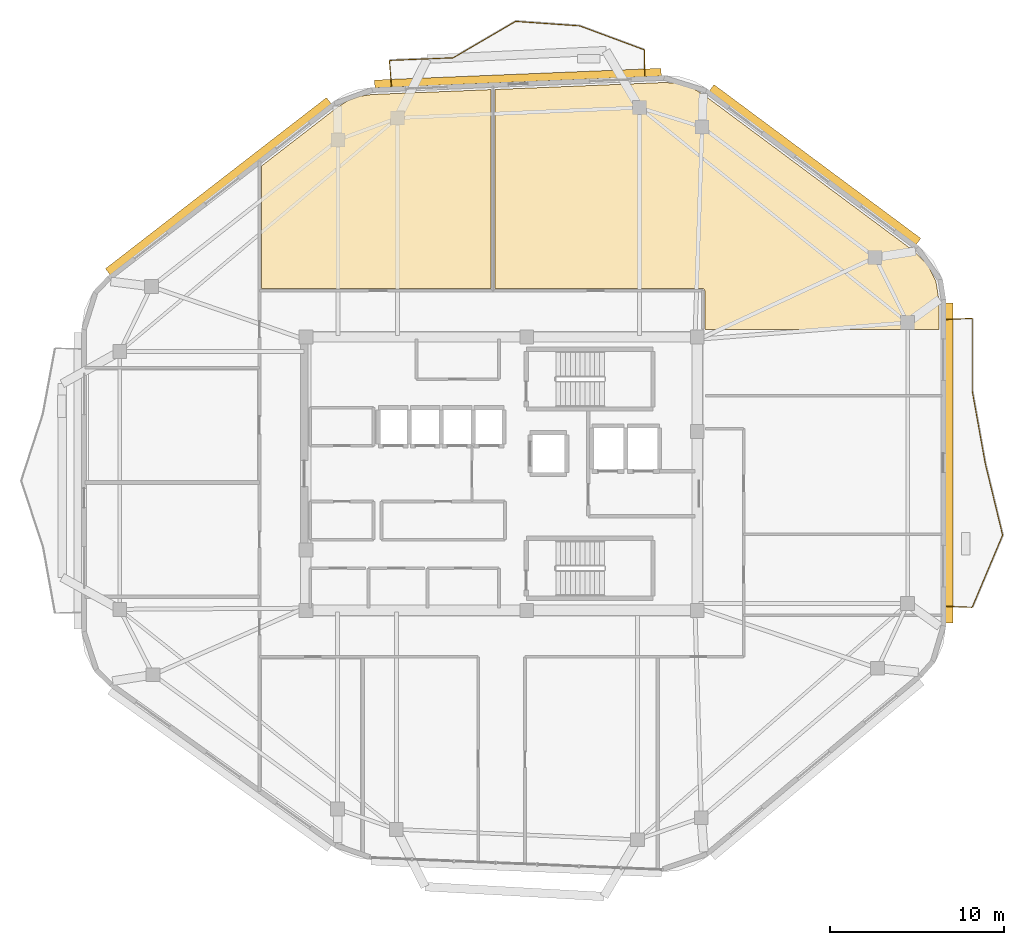
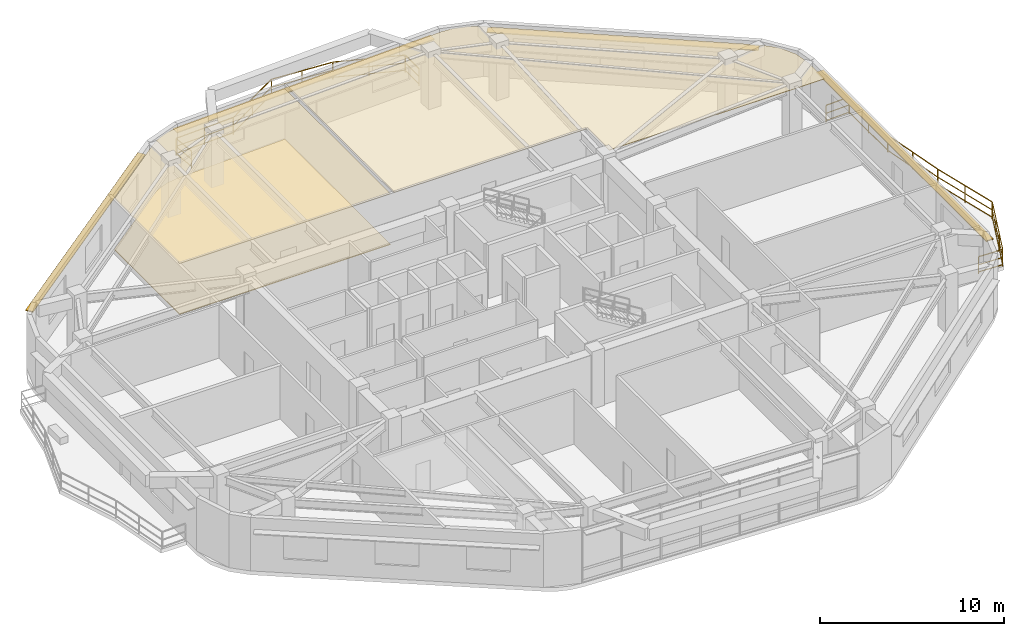
# One storey, part 13 of 13: 12 railings, 4 shading devices, 3 coverings.
"""IFC4 building model written with IfcOpenShell, lengths in metres."""

from ifc_helpers import new_model, si_unit, direction, frame, origin, origin_2d, place, context, subcontext, project, spatial, polyline, rectangle, outline, extrude, material, layer, layer_set, type_object, element, save


model = new_model("IFC4")

# Units and contexts
model_context = context("Model", 3, precision=1e-05, world=origin(), true_north=direction((0.0, 1.0)))
body_context = subcontext(model_context, "Body", "Model", "MODEL_VIEW")
ifc_project = project(units=[si_unit("LENGTHUNIT", "METRE"), si_unit("AREAUNIT", "SQUARE_METRE"), si_unit("VOLUMEUNIT", "CUBIC_METRE"), si_unit("PLANEANGLEUNIT", "RADIAN"), si_unit("MASSUNIT", "GRAM", prefix="KILO")], contexts=[model_context])

# Site, building, storey
site_placement = place(None, origin())
site = spatial("IfcSite", under=ifc_project, at=site_placement, CompositionType="ELEMENT")
building_placement = place(site_placement, origin())
building = spatial("IfcBuilding", under=site, at=building_placement, Name="Zulverin Broadcast Headquarters", CompositionType="ELEMENT")
storey_placement = place(building_placement, frame((0.0, 0.0, 301.0)))
storey = spatial("IfcBuildingStorey", under=building, at=storey_placement, Name="L77", CompositionType="ELEMENT", Elevation=301.0)

# Coverings
ifc_material_1 = material(Name="Perforated pale-metal acoustic baffle ceiling", Category="aluminium")
ifc_layer_1 = layer(ifc_material_1, 0.0400390625, Name="Perforated pale-metal acoustic baffle ceiling", Category="aluminium")
ifc_layer_set_1 = layer_set([ifc_layer_1], Name="Perforated pale-metal acoustic baffle ceiling")
covering_type_1 = type_object("IfcCoveringType", Name="COV-CEIL-ACOU", PredefinedType="CEILING", material=ifc_layer_set_1)
covering_1_placement = place(storey_placement, frame((0.0, 0.0, 3.360107421875)))
element("IfcCovering", 1, at=covering_1_placement, inside=storey, type_object=covering_type_1, Name="L77 Acoustic Baffle Ceiling 01", PredefinedType="CEILING", context=body_context, shape_type="SweptSolid", body=[
    extrude(outline(polyline([(36.3798828125, 35.8720703125), (36.3798828125, 47.33203125), (29.535888671875, 47.052001953125), (28.823974609375, 46.947998046875), (28.16796875, 46.7080078125), (27.555908203125, 46.327880859375), (23.16796875, 42.931884765625), (23.16796875, 35.8720703125), (36.3798828125, 35.8720703125)])), origin(), (0.0, 0.0, 1.0), 0.039794921875),
])
covering_2_placement = place(storey_placement, frame((0.0, 0.0, 3.360107421875)))
element("IfcCovering", 2, at=covering_2_placement, inside=storey, type_object=covering_type_1, Name="L77 Acoustic Baffle Ceiling 02", PredefinedType="CEILING", context=body_context, shape_type="SweptSolid", body=[
    extrude(outline(polyline([(48.60791015625, 47.06396484375), (47.927978515625, 47.4599609375), (47.19189453125, 47.68408203125), (46.404052734375, 47.743896484375), (36.6201171875, 47.340087890625), (36.6201171875, 35.8720703125), (48.56005859375, 35.8720703125), (48.572021484375, 35.8720703125), (48.583984375, 35.867919921875), (48.592041015625, 35.867919921875), (48.60009765625, 35.864013671875), (48.60791015625, 35.864013671875), (48.6201171875, 35.860107421875), (48.6279296875, 35.85595703125), (48.635986328125, 35.85205078125), (48.64794921875, 35.843994140625), (48.659912109375, 35.8359375), (48.66796875, 35.827880859375), (48.676025390625, 35.820068359375), (48.68408203125, 35.81201171875), (48.69189453125, 35.800048828125), (48.699951171875, 35.7880859375), (48.7041015625, 35.780029296875), (48.7080078125, 35.77197265625), (48.7119140625, 35.763916015625), (48.716064453125, 35.751953125), (48.716064453125, 35.743896484375), (48.719970703125, 35.73193359375), (48.719970703125, 35.719970703125), (48.719970703125, 33.5), (62.199951171875, 33.5), (62.199951171875, 35.219970703125), (62.031982421875, 36.2880859375), (61.56005859375, 37.22412109375), (60.803955078125, 37.99609375), (48.60791015625, 47.06396484375)])), origin(), (0.0, 0.0, 1.0), 0.039794921875),
])
ifc_material_2 = material(Name="Anti-static broadcast raised access flooring", Category="stone")
ifc_layer_2 = layer(ifc_material_2, 0.050048828125, Name="Anti-static broadcast raised access flooring", Category="stone")
ifc_layer_set_2 = layer_set([ifc_layer_2], Name="Anti-static broadcast raised access flooring")
covering_type_2 = type_object("IfcCoveringType", Name="COV-FLR-RAISED", PredefinedType="FLOORING", material=ifc_layer_set_2)
covering_3_placement = place(storey_placement, origin())
element("IfcCovering", 3, at=covering_3_placement, inside=storey, type_object=covering_type_2, Name="L77 Broadcast Raised Access Flooring 01", PredefinedType="FLOORING", context=body_context, shape_type="SweptSolid", body=[
    extrude(outline(polyline([(36.3798828125, 35.8720703125), (36.3798828125, 47.33203125), (29.535888671875, 47.052001953125), (28.823974609375, 46.947998046875), (28.16796875, 46.7080078125), (27.555908203125, 46.327880859375), (23.16796875, 42.931884765625), (23.16796875, 35.8720703125), (36.3798828125, 35.8720703125)])), origin(), (0.0, 0.0, 1.0), 0.050048828125),
])

# Railings
ifc_material_3 = material(Name="Brushed stainless steel & laminated glass balustrade", Category="steel")
railing_type = type_object("IfcRailingType", Name="RL-GUARD-1150", PredefinedType="GUARDRAIL", material=ifc_material_3)
railing_1_placement = place(storey_placement, frame((62.639892578125, 17.555419921875, 0.0)))
element("IfcRailing", 4, at=railing_1_placement, inside=storey, type_object=railing_type, Name="L77 Vertical-Forest Balcony Guardrail BAL_E Segment 01", PredefinedType="GUARDRAIL", context=body_context, shape_type="SweptSolid", body=[
    extrude(rectangle(XDim=0.048095703125, YDim=0.048095703125, at=origin_2d()), frame((0.0, 0.0, 1.1259765625), z_axis=(0.999181155166, -0.040460093435, 0.0), x_axis=(0.040460093435, 0.999181155166, 0.0)), (0.0, 0.0, 1.0), 1.46630859375),
    extrude(rectangle(XDim=0.0419921875, YDim=0.0419921875, at=origin_2d()), frame((0.0, 0.0, 0.597900390625), z_axis=(0.999181155166, -0.040460093435, 0.0), x_axis=(0.040460093435, 0.999181155166, 0.0)), (0.0, 0.0, 1.0), 1.46630859375),
    extrude(rectangle(XDim=0.0419921875, YDim=0.0419921875, at=origin_2d()), frame((0.0, 0.0, 0.1201171875), z_axis=(0.999181155166, -0.040460093435, 0.0), x_axis=(0.040460093435, 0.999181155166, 0.0)), (0.0, 0.0, 1.0), 1.46630859375),
    extrude(rectangle(XDim=0.0419921875, YDim=0.0419921875, at=origin_2d()), origin(), (0.0, 0.0, 1.0), 1.101806640625),
    extrude(rectangle(XDim=0.0419921875, YDim=0.0419921875, at=origin_2d()), frame((1.465087890625, -0.059326171875, 0.0)), (0.0, 0.0, 1.0), 1.101806640625),
])
railing_2_placement = place(storey_placement, frame((64.125732421875, 17.50927734375, 0.0)))
element("IfcRailing", 5, at=railing_2_placement, inside=storey, type_object=railing_type, Name="L77 Vertical-Forest Balcony Guardrail BAL_E Segment 02", PredefinedType="GUARDRAIL", context=body_context, shape_type="SweptSolid", body=[
    extrude(rectangle(XDim=0.048095703125, YDim=0.048095703125, at=origin_2d()), frame((0.0, 0.0, 1.1259765625), z_axis=(0.388239386157, 0.921558559743, 0.0), x_axis=(-0.921558559743, 0.388239386157, 0.0)), (0.0, 0.0, 1.0), 4.488037109375),
    extrude(rectangle(XDim=0.0419921875, YDim=0.0419921875, at=origin_2d()), frame((0.0, 0.0, 0.597900390625), z_axis=(0.388239386157, 0.921558559743, 0.0), x_axis=(-0.921558559743, 0.388239386157, 0.0)), (0.0, 0.0, 1.0), 4.488037109375),
    extrude(rectangle(XDim=0.0419921875, YDim=0.0419921875, at=origin_2d()), frame((0.0, 0.0, 0.1201171875), z_axis=(0.388239386157, 0.921558559743, 0.0), x_axis=(-0.921558559743, 0.388239386157, 0.0)), (0.0, 0.0, 1.0), 4.488037109375),
    extrude(rectangle(XDim=0.0419921875, YDim=0.0419921875, at=origin_2d()), origin(), (0.0, 0.0, 1.0), 1.101806640625),
    extrude(rectangle(XDim=0.0419921875, YDim=0.0419921875, at=origin_2d()), frame((0.580810546875, 1.378662109375, 0.0)), (0.0, 0.0, 1.0), 1.101806640625),
    extrude(rectangle(XDim=0.0419921875, YDim=0.0419921875, at=origin_2d()), frame((1.16162109375, 2.75732421875, 0.0)), (0.0, 0.0, 1.0), 1.101806640625),
    extrude(rectangle(XDim=0.0419921875, YDim=0.0419921875, at=origin_2d()), frame((1.742431640625, 4.135986328125, 0.0)), (0.0, 0.0, 1.0), 1.101806640625),
])
railing_3_placement = place(storey_placement, frame((65.87060546875, 21.673583984375, 0.0)))
element("IfcRailing", 6, at=railing_3_placement, inside=storey, type_object=railing_type, Name="L77 Vertical-Forest Balcony Guardrail BAL_E Segment 03", PredefinedType="GUARDRAIL", context=body_context, shape_type="SweptSolid", body=[
    extrude(rectangle(XDim=0.048095703125, YDim=0.048095703125, at=origin_2d()), frame((0.0, 0.0, 1.1259765625), z_axis=(-0.235304347461, 0.971921737624, 0.0), x_axis=(-0.971921737624, -0.235304347461, 0.0)), (0.0, 0.0, 1.0), 4.25390625),
    extrude(rectangle(XDim=0.0419921875, YDim=0.0419921875, at=origin_2d()), frame((0.0, 0.0, 0.597900390625), z_axis=(-0.235304347461, 0.971921737624, 0.0), x_axis=(-0.971921737624, -0.235304347461, 0.0)), (0.0, 0.0, 1.0), 4.25390625),
    extrude(rectangle(XDim=0.0419921875, YDim=0.0419921875, at=origin_2d()), frame((0.0, 0.0, 0.1201171875), z_axis=(-0.235304347461, 0.971921737624, 0.0), x_axis=(-0.971921737624, -0.235304347461, 0.0)), (0.0, 0.0, 1.0), 4.25390625),
    extrude(rectangle(XDim=0.0419921875, YDim=0.0419921875, at=origin_2d()), origin(), (0.0, 0.0, 1.0), 1.101806640625),
    extrude(rectangle(XDim=0.0419921875, YDim=0.0419921875, at=origin_2d()), frame((-0.50048828125, 2.0673828125, 0.0)), (0.0, 0.0, 1.0), 1.101806640625),
    extrude(rectangle(XDim=0.0419921875, YDim=0.0419921875, at=origin_2d()), frame((-1.0009765625, 4.134521484375, 0.0)), (0.0, 0.0, 1.0), 1.101806640625),
])
railing_4_placement = place(storey_placement, frame((64.863525390625, 25.837646484375, 0.0)))
element("IfcRailing", 7, at=railing_4_placement, inside=storey, type_object=railing_type, Name="L77 Vertical-Forest Balcony Guardrail BAL_E Segment 04", PredefinedType="GUARDRAIL", context=body_context, shape_type="SweptSolid", body=[
    extrude(rectangle(XDim=0.048095703125, YDim=0.048095703125, at=origin_2d()), frame((0.0, 0.0, 1.1259765625), z_axis=(-0.176424354877, 0.984314201364, 0.0), x_axis=(-0.984314201364, -0.176424354877, 0.0)), (0.0, 0.0, 1.0), 4.199951171875),
    extrude(rectangle(XDim=0.0419921875, YDim=0.0419921875, at=origin_2d()), frame((0.0, 0.0, 0.597900390625), z_axis=(-0.176424354877, 0.984314201364, 0.0), x_axis=(-0.984314201364, -0.176424354877, 0.0)), (0.0, 0.0, 1.0), 4.199951171875),
    extrude(rectangle(XDim=0.0419921875, YDim=0.0419921875, at=origin_2d()), frame((0.0, 0.0, 0.1201171875), z_axis=(-0.176424354877, 0.984314201364, 0.0), x_axis=(-0.984314201364, -0.176424354877, 0.0)), (0.0, 0.0, 1.0), 4.199951171875),
    extrude(rectangle(XDim=0.0419921875, YDim=0.0419921875, at=origin_2d()), origin(), (0.0, 0.0, 1.0), 1.101806640625),
    extrude(rectangle(XDim=0.0419921875, YDim=0.0419921875, at=origin_2d()), frame((-0.37060546875, 2.06689453125, 0.0)), (0.0, 0.0, 1.0), 1.101806640625),
    extrude(rectangle(XDim=0.0419921875, YDim=0.0419921875, at=origin_2d()), frame((-0.740966796875, 4.134033203125, 0.0)), (0.0, 0.0, 1.0), 1.101806640625),
])
railing_5_placement = place(storey_placement, frame((64.1201171875, 30.00146484375, 0.0)))
element("IfcRailing", 8, at=railing_5_placement, inside=storey, type_object=railing_type, Name="L77 Vertical-Forest Balcony Guardrail BAL_E Segment 05", PredefinedType="GUARDRAIL", context=body_context, shape_type="SweptSolid", body=[
    extrude(rectangle(XDim=0.048095703125, YDim=0.048095703125, at=origin_2d()), frame((0.0, 0.0, 1.1259765625), z_axis=(0.0, 1.0, 0.0), x_axis=(-1.0, 0.0, 0.0)), (0.0, 0.0, 1.0), 4.133544921875),
    extrude(rectangle(XDim=0.0419921875, YDim=0.0419921875, at=origin_2d()), frame((0.0, 0.0, 0.597900390625), z_axis=(0.0, 1.0, 0.0), x_axis=(-1.0, 0.0, 0.0)), (0.0, 0.0, 1.0), 4.133544921875),
    extrude(rectangle(XDim=0.0419921875, YDim=0.0419921875, at=origin_2d()), frame((0.0, 0.0, 0.1201171875), z_axis=(0.0, 1.0, 0.0), x_axis=(-1.0, 0.0, 0.0)), (0.0, 0.0, 1.0), 4.133544921875),
    extrude(rectangle(XDim=0.0419921875, YDim=0.0419921875, at=origin_2d()), origin(), (0.0, 0.0, 1.0), 1.101806640625),
    extrude(rectangle(XDim=0.0419921875, YDim=0.0419921875, at=origin_2d()), frame((0.0, 2.06689453125, 0.0)), (0.0, 0.0, 1.0), 1.101806640625),
    extrude(rectangle(XDim=0.0419921875, YDim=0.0419921875, at=origin_2d()), frame((0.0, 4.133544921875, 0.0)), (0.0, 0.0, 1.0), 1.101806640625),
])
railing_6_placement = place(storey_placement, frame((64.10498046875, 34.1494140625, 0.0)))
element("IfcRailing", 9, at=railing_6_placement, inside=storey, type_object=railing_type, Name="L77 Vertical-Forest Balcony Guardrail BAL_E Segment 06", PredefinedType="GUARDRAIL", context=body_context, shape_type="SweptSolid", body=[
    extrude(rectangle(XDim=0.048095703125, YDim=0.048095703125, at=origin_2d()), frame((0.0, 0.0, 1.1259765625), z_axis=(-0.999181155166, -0.040460093435, 0.0), x_axis=(0.040460093435, -0.999181155166, 0.0)), (0.0, 0.0, 1.0), 1.46630859375),
    extrude(rectangle(XDim=0.0419921875, YDim=0.0419921875, at=origin_2d()), frame((0.0, 0.0, 0.597900390625), z_axis=(-0.999181155166, -0.040460093435, 0.0), x_axis=(0.040460093435, -0.999181155166, 0.0)), (0.0, 0.0, 1.0), 1.46630859375),
    extrude(rectangle(XDim=0.0419921875, YDim=0.0419921875, at=origin_2d()), frame((0.0, 0.0, 0.1201171875), z_axis=(-0.999181155166, -0.040460093435, 0.0), x_axis=(0.040460093435, -0.999181155166, 0.0)), (0.0, 0.0, 1.0), 1.46630859375),
    extrude(rectangle(XDim=0.0419921875, YDim=0.0419921875, at=origin_2d()), origin(), (0.0, 0.0, 1.0), 1.101806640625),
    extrude(rectangle(XDim=0.0419921875, YDim=0.0419921875, at=origin_2d()), frame((-1.465087890625, -0.059326171875, 0.0)), (0.0, 0.0, 1.0), 1.101806640625),
])
railing_7_placement = place(storey_placement, frame((45.247314453125, 48.13720703125, 0.0)))
element("IfcRailing", 10, at=railing_7_placement, inside=storey, type_object=railing_type, Name="L77 Vertical-Forest Balcony Guardrail BAL_N Segment 01", PredefinedType="GUARDRAIL", context=body_context, shape_type="SweptSolid", body=[
    extrude(rectangle(XDim=0.048095703125, YDim=0.048095703125, at=origin_2d()), frame((0.0, 0.0, 1.1259765625), z_axis=(-0.000499500437, 0.99999987525, 0.0), x_axis=(-0.99999987525, -0.000499500437, 0.0)), (0.0, 0.0, 1.0), 1.46630859375),
    extrude(rectangle(XDim=0.0419921875, YDim=0.0419921875, at=origin_2d()), frame((0.0, 0.0, 0.597900390625), z_axis=(-0.000499500437, 0.99999987525, 0.0), x_axis=(-0.99999987525, -0.000499500437, 0.0)), (0.0, 0.0, 1.0), 1.46630859375),
    extrude(rectangle(XDim=0.0419921875, YDim=0.0419921875, at=origin_2d()), frame((0.0, 0.0, 0.1201171875), z_axis=(-0.000499500437, 0.99999987525, 0.0), x_axis=(-0.99999987525, -0.000499500437, 0.0)), (0.0, 0.0, 1.0), 1.46630859375),
    extrude(rectangle(XDim=0.0419921875, YDim=0.0419921875, at=origin_2d()), origin(), (0.0, 0.0, 1.0), 1.101806640625),
    extrude(rectangle(XDim=0.0419921875, YDim=0.0419921875, at=origin_2d()), frame((-0.000732421875, 1.46630859375, 0.0)), (0.0, 0.0, 1.0), 1.101806640625),
])
railing_8_placement = place(storey_placement, frame((45.232421875, 49.62353515625, 0.0)))
element("IfcRailing", 11, at=railing_8_placement, inside=storey, type_object=railing_type, Name="L77 Vertical-Forest Balcony Guardrail BAL_N Segment 02", PredefinedType="GUARDRAIL", context=body_context, shape_type="SweptSolid", body=[
    extrude(rectangle(XDim=0.048095703125, YDim=0.048095703125, at=origin_2d()), frame((0.0, 0.0, 1.1259765625), z_axis=(-0.937672871258, 0.34751918869, 0.0), x_axis=(-0.34751918869, -0.937672871258, 0.0)), (0.0, 0.0, 1.0), 3.95947265625),
    extrude(rectangle(XDim=0.0419921875, YDim=0.0419921875, at=origin_2d()), frame((0.0, 0.0, 0.597900390625), z_axis=(-0.937672871258, 0.34751918869, 0.0), x_axis=(-0.34751918869, -0.937672871258, 0.0)), (0.0, 0.0, 1.0), 3.95947265625),
    extrude(rectangle(XDim=0.0419921875, YDim=0.0419921875, at=origin_2d()), frame((0.0, 0.0, 0.1201171875), z_axis=(-0.937672871258, 0.34751918869, 0.0), x_axis=(-0.34751918869, -0.937672871258, 0.0)), (0.0, 0.0, 1.0), 3.95947265625),
    extrude(rectangle(XDim=0.0419921875, YDim=0.0419921875, at=origin_2d()), origin(), (0.0, 0.0, 1.0), 1.101806640625),
    extrude(rectangle(XDim=0.0419921875, YDim=0.0419921875, at=origin_2d()), frame((-1.8564453125, 0.68798828125, 0.0)), (0.0, 0.0, 1.0), 1.101806640625),
    extrude(rectangle(XDim=0.0419921875, YDim=0.0419921875, at=origin_2d()), frame((-3.712646484375, 1.3759765625, 0.0)), (0.0, 0.0, 1.0), 1.101806640625),
])
railing_9_placement = place(storey_placement, frame((41.49072265625, 51.005859375, 0.0)))
element("IfcRailing", 12, at=railing_9_placement, inside=storey, type_object=railing_type, Name="L77 Vertical-Forest Balcony Guardrail BAL_N Segment 03", PredefinedType="GUARDRAIL", context=body_context, shape_type="SweptSolid", body=[
    extrude(rectangle(XDim=0.048095703125, YDim=0.048095703125, at=origin_2d()), frame((0.0, 0.0, 1.1259765625), z_axis=(-0.997543666188, 0.070047370031, 0.0), x_axis=(-0.070047370031, -0.997543666188, 0.0)), (0.0, 0.0, 1.0), 3.673583984375),
    extrude(rectangle(XDim=0.0419921875, YDim=0.0419921875, at=origin_2d()), frame((0.0, 0.0, 0.597900390625), z_axis=(-0.997543666188, 0.070047370031, 0.0), x_axis=(-0.070047370031, -0.997543666188, 0.0)), (0.0, 0.0, 1.0), 3.673583984375),
    extrude(rectangle(XDim=0.0419921875, YDim=0.0419921875, at=origin_2d()), frame((0.0, 0.0, 0.1201171875), z_axis=(-0.997543666188, 0.070047370031, 0.0), x_axis=(-0.070047370031, -0.997543666188, 0.0)), (0.0, 0.0, 1.0), 3.673583984375),
    extrude(rectangle(XDim=0.0419921875, YDim=0.0419921875, at=origin_2d()), origin(), (0.0, 0.0, 1.0), 1.101806640625),
    extrude(rectangle(XDim=0.0419921875, YDim=0.0419921875, at=origin_2d()), frame((-1.832275390625, 0.128662109375, 0.0)), (0.0, 0.0, 1.0), 1.101806640625),
    extrude(rectangle(XDim=0.0419921875, YDim=0.0419921875, at=origin_2d()), frame((-3.66455078125, 0.25732421875, 0.0)), (0.0, 0.0, 1.0), 1.101806640625),
])
railing_10_placement = place(storey_placement, frame((37.798095703125, 51.2568359375, 0.0)))
element("IfcRailing", 13, at=railing_10_placement, inside=storey, type_object=railing_type, Name="L77 Vertical-Forest Balcony Guardrail BAL_N Segment 04", PredefinedType="GUARDRAIL", context=body_context, shape_type="SweptSolid", body=[
    extrude(rectangle(XDim=0.048095703125, YDim=0.048095703125, at=origin_2d()), frame((0.0, 0.0, 1.1259765625), z_axis=(-0.863691093068, -0.504021523106, 0.0), x_axis=(0.504021523106, -0.863691093068, 0.0)), (0.0, 0.0, 1.0), 4.13525390625),
    extrude(rectangle(XDim=0.0419921875, YDim=0.0419921875, at=origin_2d()), frame((0.0, 0.0, 0.597900390625), z_axis=(-0.863691093068, -0.504021523106, 0.0), x_axis=(0.504021523106, -0.863691093068, 0.0)), (0.0, 0.0, 1.0), 4.13525390625),
    extrude(rectangle(XDim=0.0419921875, YDim=0.0419921875, at=origin_2d()), frame((0.0, 0.0, 0.1201171875), z_axis=(-0.863691093068, -0.504021523106, 0.0), x_axis=(0.504021523106, -0.863691093068, 0.0)), (0.0, 0.0, 1.0), 4.13525390625),
    extrude(rectangle(XDim=0.0419921875, YDim=0.0419921875, at=origin_2d()), origin(), (0.0, 0.0, 1.0), 1.101806640625),
    extrude(rectangle(XDim=0.0419921875, YDim=0.0419921875, at=origin_2d()), frame((-1.78564453125, -1.0419921875, 0.0)), (0.0, 0.0, 1.0), 1.101806640625),
    extrude(rectangle(XDim=0.0419921875, YDim=0.0419921875, at=origin_2d()), frame((-3.571533203125, -2.084228515625, 0.0)), (0.0, 0.0, 1.0), 1.101806640625),
])
railing_11_placement = place(storey_placement, frame((34.198486328125, 49.164306640625, 0.0)))
element("IfcRailing", 14, at=railing_11_placement, inside=storey, type_object=railing_type, Name="L77 Vertical-Forest Balcony Guardrail BAL_N Segment 05", PredefinedType="GUARDRAIL", context=body_context, shape_type="SweptSolid", body=[
    extrude(rectangle(XDim=0.048095703125, YDim=0.048095703125, at=origin_2d()), frame((0.0, 0.0, 1.1259765625), z_axis=(-0.999156669584, -0.041060316922, 0.0), x_axis=(0.041060316922, -0.999156669584, 0.0)), (0.0, 0.0, 1.0), 3.65087890625),
    extrude(rectangle(XDim=0.0419921875, YDim=0.0419921875, at=origin_2d()), frame((0.0, 0.0, 0.597900390625), z_axis=(-0.999156669584, -0.041060316922, 0.0), x_axis=(0.041060316922, -0.999156669584, 0.0)), (0.0, 0.0, 1.0), 3.65087890625),
    extrude(rectangle(XDim=0.0419921875, YDim=0.0419921875, at=origin_2d()), frame((0.0, 0.0, 0.1201171875), z_axis=(-0.999156669584, -0.041060316922, 0.0), x_axis=(0.041060316922, -0.999156669584, 0.0)), (0.0, 0.0, 1.0), 3.65087890625),
    extrude(rectangle(XDim=0.0419921875, YDim=0.0419921875, at=origin_2d()), origin(), (0.0, 0.0, 1.0), 1.101806640625),
    extrude(rectangle(XDim=0.0419921875, YDim=0.0419921875, at=origin_2d()), frame((-1.82373046875, -0.074951171875, 0.0)), (0.0, 0.0, 1.0), 1.101806640625),
    extrude(rectangle(XDim=0.0419921875, YDim=0.0419921875, at=origin_2d()), frame((-3.647705078125, -0.14990234375, 0.0)), (0.0, 0.0, 1.0), 1.101806640625),
])
railing_12_placement = place(storey_placement, frame((30.537109375, 48.998779296875, 0.0)))
element("IfcRailing", 15, at=railing_12_placement, inside=storey, type_object=railing_type, Name="L77 Vertical-Forest Balcony Guardrail BAL_N Segment 06", PredefinedType="GUARDRAIL", context=body_context, shape_type="SweptSolid", body=[
    extrude(rectangle(XDim=0.048095703125, YDim=0.048095703125, at=origin_2d()), frame((0.0, 0.0, 1.1259765625), z_axis=(0.081419392862, -0.9966799298, 0.0), x_axis=(0.9966799298, 0.081419392862, 0.0)), (0.0, 0.0, 1.0), 1.46630859375),
    extrude(rectangle(XDim=0.0419921875, YDim=0.0419921875, at=origin_2d()), frame((0.0, 0.0, 0.597900390625), z_axis=(0.081419392862, -0.9966799298, 0.0), x_axis=(0.9966799298, 0.081419392862, 0.0)), (0.0, 0.0, 1.0), 1.46630859375),
    extrude(rectangle(XDim=0.0419921875, YDim=0.0419921875, at=origin_2d()), frame((0.0, 0.0, 0.1201171875), z_axis=(0.081419392862, -0.9966799298, 0.0), x_axis=(0.9966799298, 0.081419392862, 0.0)), (0.0, 0.0, 1.0), 1.46630859375),
    extrude(rectangle(XDim=0.0419921875, YDim=0.0419921875, at=origin_2d()), origin(), (0.0, 0.0, 1.0), 1.101806640625),
    extrude(rectangle(XDim=0.0419921875, YDim=0.0419921875, at=origin_2d()), frame((0.119384765625, -1.46142578125, 0.0)), (0.0, 0.0, 1.0), 1.101806640625),
])

# Shading devices
ifc_material_4 = material(Name="Anodized pale-metal aluminium sunshade", Category="aluminium")
ifc_layer_3 = layer(ifc_material_4, 0.06005859375, Name="Anodized pale-metal aluminium sunshade", Category="aluminium")
ifc_layer_set_3 = layer_set([ifc_layer_3], Name="Anodized pale-metal aluminium sunshade")
shading_device_type = type_object("IfcShadingDeviceType", Name="SS-01_PALE_METAL_ALUMINIUM_SUNSHADE", PredefinedType="USERDEFINED", material=ifc_layer_set_3)
shading_device_1_placement = place(storey_placement, frame((62.800048828125, 25.82275390625, 2.7099609375), z_axis=(0.0, 0.0, 1.0), x_axis=(0.0, 1.0, 0.0)))
element("IfcShadingDevice", 16, at=shading_device_1_placement, inside=storey, type_object=shading_device_type, Name="L77 Horizontal Pale-Metal Sunshade Band 3", ObjectType="SUNSHADE", PredefinedType="USERDEFINED", context=body_context, shape_type="SweptSolid", body=[
    extrude(rectangle(XDim=18.45458984375, YDim=0.449951171875, at=origin_2d()), origin(), (0.0, 0.0, 1.0), 0.06005859375),
])
shading_device_2_placement = place(storey_placement, frame((55.068603515625, 43.009033203125, 2.7099609375), z_axis=(0.0, 0.0, 1.0), x_axis=(-0.802486437986, 0.596670358614, 0.0)))
element("IfcShadingDevice", 17, at=shading_device_2_placement, inside=storey, type_object=shading_device_type, Name="L77 Horizontal Pale-Metal Sunshade Band 4", ObjectType="SUNSHADE", PredefinedType="USERDEFINED", context=body_context, shape_type="SweptSolid", body=[
    extrude(rectangle(XDim=14.84765625, YDim=0.449951171875, at=origin_2d()), origin(), (0.0, 0.0, 1.0), 0.06005859375),
])
shading_device_3_placement = place(storey_placement, frame((37.9453125, 47.9970703125, 2.7099609375), z_axis=(0.0, 0.0, 1.0), x_axis=(-0.999156343069, -0.041068261531, 0.0)))
element("IfcShadingDevice", 18, at=shading_device_3_placement, inside=storey, type_object=shading_device_type, Name="L77 Horizontal Pale-Metal Sunshade Band 5", ObjectType="SUNSHADE", PredefinedType="USERDEFINED", context=body_context, shape_type="SweptSolid", body=[
    extrude(rectangle(XDim=16.523193359375, YDim=0.449951171875, at=origin_2d()), origin(), (0.0, 0.0, 1.0), 0.06005859375),
])
shading_device_4_placement = place(storey_placement, frame((20.67919921875, 41.763671875, 2.7099609375), z_axis=(0.0, 0.0, 1.0), x_axis=(-0.790792140634, -0.612084790132, 0.0)))
element("IfcShadingDevice", 19, at=shading_device_4_placement, inside=storey, type_object=shading_device_type, Name="L77 Horizontal Pale-Metal Sunshade Band 6", ObjectType="SUNSHADE", PredefinedType="USERDEFINED", context=body_context, shape_type="SweptSolid", body=[
    extrude(rectangle(XDim=16.109130859375, YDim=0.449951171875, at=origin_2d()), origin(), (0.0, 0.0, 1.0), 0.06005859375),
])

save(model, "model.ifc")
